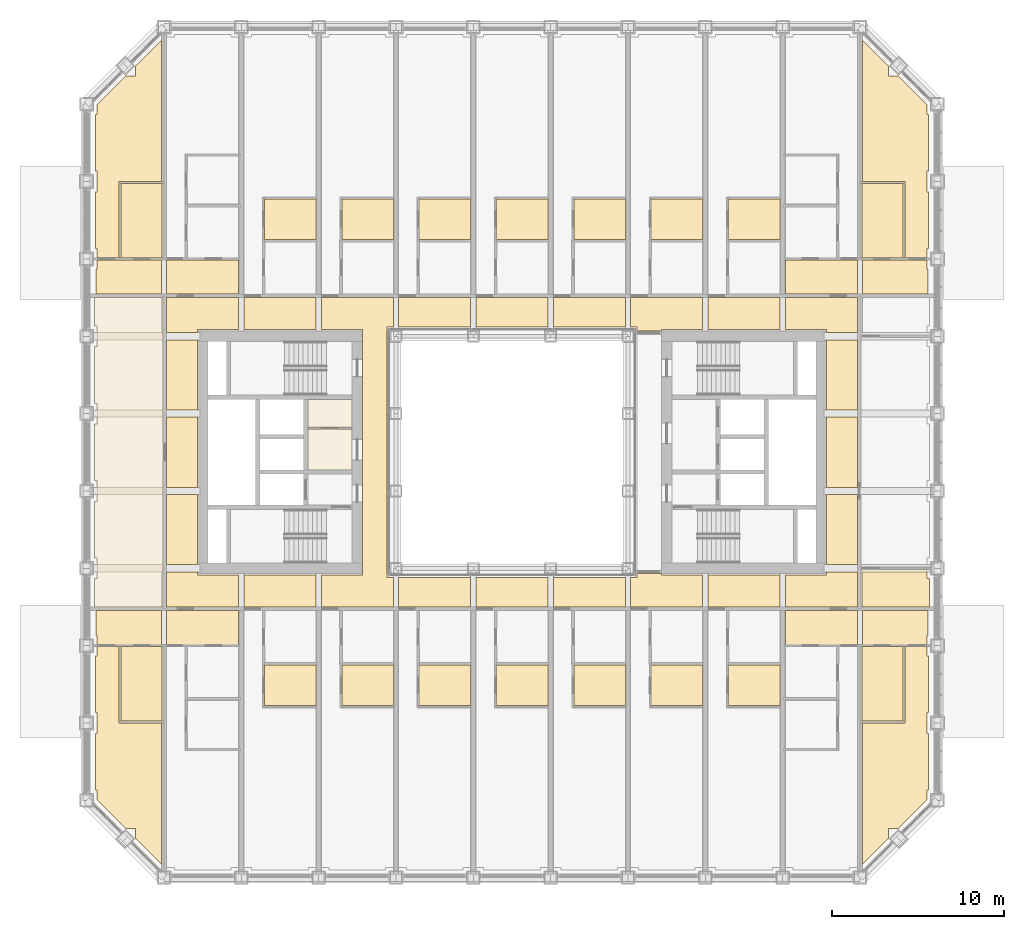
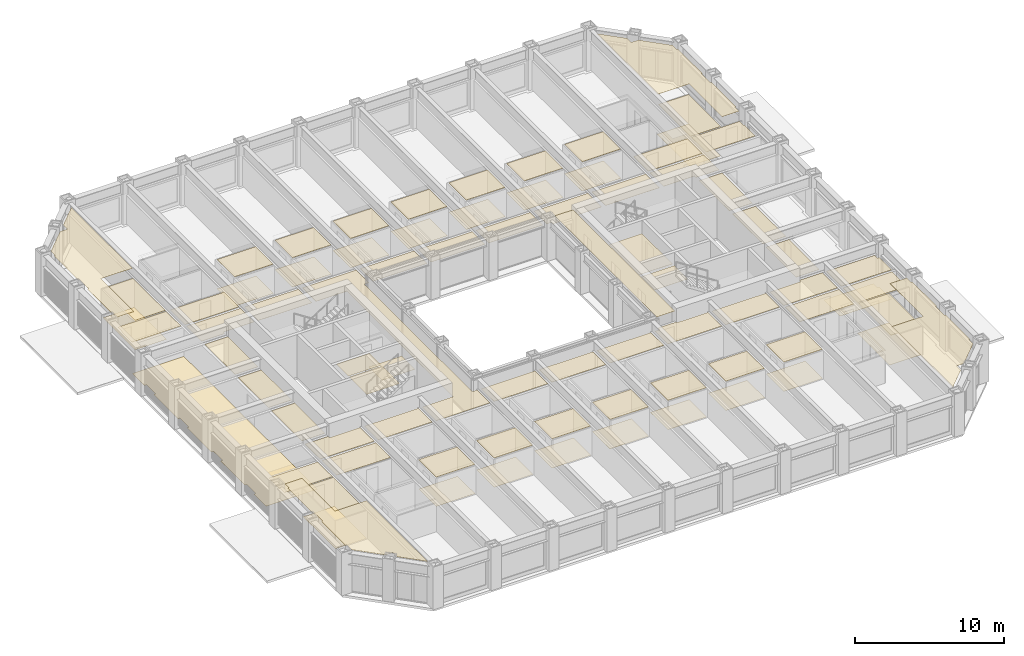
# One storey, part 22 of 24: 4 coverings.
"""IFC4 building model written with IfcOpenShell, lengths in metres."""

from ifc_helpers import new_model, si_unit, direction, frame, origin, place, context, subcontext, project, spatial, line, indexed_curve, outline, extrude, material, layer, layer_set, type_object, element, save


model = new_model("IFC4")

# Units and contexts
model_context = context("Model", 3, precision=1e-05, world=origin(), true_north=direction((0.0, 1.0)))
body_context = subcontext(model_context, "Body", "Model", "MODEL_VIEW")
ifc_project = project(units=[si_unit("LENGTHUNIT", "METRE"), si_unit("AREAUNIT", "SQUARE_METRE"), si_unit("VOLUMEUNIT", "CUBIC_METRE"), si_unit("PLANEANGLEUNIT", "RADIAN"), si_unit("MASSUNIT", "GRAM", prefix="KILO")], contexts=[model_context])

# Site, building, storey
site_placement = place(None, origin())
site = spatial("IfcSite", under=ifc_project, at=site_placement, CompositionType="ELEMENT")
building_placement = place(site_placement, origin())
building = spatial("IfcBuilding", under=site, at=building_placement, Name="Msasa Ring Tower", CompositionType="ELEMENT")
storey_placement = place(building_placement, frame((0.0, 0.0, 26.5)))
storey = spatial("IfcBuildingStorey", under=building, at=storey_placement, Name="L05", CompositionType="ELEMENT", Elevation=26.5)

# Coverings
ifc_material_1 = material(Name="Gypsum plasterboard on a steel suspension grid", Category="steel")
ifc_layer_1 = layer(ifc_material_1, 0.014892578125)
ifc_layer_set_1 = layer_set([ifc_layer_1], Name="C1 SUSPENDED PLASTERBOARD CEILING 15")
covering_type_1 = type_object("IfcCoveringType", Name="C1 SUSPENDED PLASTERBOARD CEILING 15", PredefinedType="CEILING", material=ifc_layer_set_1)
covering_1_placement = place(storey_placement, frame((0.0, 0.0, 2.39990234375)))
element("IfcCovering", 1, at=covering_1_placement, inside=storey, type_object=covering_type_1, Name="Suspended Plasterboard Ceiling 15 circulation L05", PredefinedType="CEILING", context=body_context, shape_type="SweptSolid", body=[
    extrude(outline(indexed_curve([(-24.1494140625, -11.199462890625), (-24.1494140625, -10.6494140625), (-24.199462890625, -10.6494140625), (-24.199462890625, -9.200439453125), (-20.404296875, -9.200439453125), (-20.404296875, -11.199462890625)], segments=[line(1, 2, 3, 4, 5, 6, 1)], self_intersect=False)), origin(), (0.0, 0.0, 1.0), 0.01513671875),
    extrude(outline(indexed_curve([(-24.199462890625, 9.200439453125), (-24.199462890625, 10.6494140625), (-24.1494140625, 10.6494140625), (-24.1494140625, 11.199462890625), (-20.404296875, 11.199462890625), (-20.404296875, 9.200439453125)], segments=[line(1, 2, 3, 4, 5, 6, 1)], self_intersect=False)), origin(), (0.0, 0.0, 1.0), 0.01513671875),
    extrude(outline(indexed_curve([(-20.099609375, -2.460693359375), (-18.300537109375, -2.460693359375), (-18.300537109375, -6.539306640625), (-20.099609375, -6.539306640625)], segments=[line(1, 2, 3, 4, 1)], self_intersect=False)), origin(), (0.0, 0.0, 1.0), 0.01513671875),
    extrude(outline(indexed_curve([(-20.099609375, 2.039306640625), (-18.300537109375, 2.039306640625), (-18.300537109375, -2.039306640625), (-20.099609375, -2.039306640625)], segments=[line(1, 2, 3, 4, 1)], self_intersect=False)), origin(), (0.0, 0.0, 1.0), 0.01513671875),
    extrude(outline(indexed_curve([(-20.099609375, 6.539306640625), (-18.300537109375, 6.539306640625), (-18.300537109375, 2.460693359375), (-20.099609375, 2.460693359375)], segments=[line(1, 2, 3, 4, 1)], self_intersect=False)), origin(), (0.0, 0.0, 1.0), 0.01513671875),
    extrude(outline(indexed_curve([(-20.095703125, -11.199462890625), (-20.095703125, -9.200439453125), (-15.904296875, -9.200439453125), (-15.904296875, -11.199462890625)], segments=[line(1, 2, 3, 4, 1)], self_intersect=False)), origin(), (0.0, 0.0, 1.0), 0.01513671875),
    extrude(outline(indexed_curve([(-20.095703125, -8.99951171875), (-20.095703125, -6.960693359375), (-18.300537109375, -6.960693359375), (-18.300537109375, -7.150390625), (-15.904296875, -7.150390625), (-15.904296875, -8.99951171875)], segments=[line(1, 2, 3, 4, 5, 6, 1)], self_intersect=False)), origin(), (0.0, 0.0, 1.0), 0.01513671875),
    extrude(outline(indexed_curve([(-15.904296875, 8.99951171875), (-15.904296875, 7.150390625), (-18.300537109375, 7.150390625), (-18.300537109375, 6.960693359375), (-20.095703125, 6.960693359375), (-20.095703125, 8.99951171875)], segments=[line(1, 2, 3, 4, 5, 6, 1)], self_intersect=False)), origin(), (0.0, 0.0, 1.0), 0.01513671875),
    extrude(outline(indexed_curve([(-20.095703125, 9.200439453125), (-20.095703125, 11.199462890625), (-15.904296875, 11.199462890625), (-15.904296875, 9.200439453125)], segments=[line(1, 2, 3, 4, 1)], self_intersect=False)), origin(), (0.0, 0.0, 1.0), 0.01513671875),
    extrude(outline(indexed_curve([(-15.595703125, -8.99951171875), (-15.595703125, -7.150390625), (-11.404296875, -7.150390625), (-11.404296875, -8.99951171875)], segments=[line(1, 2, 3, 4, 1)], self_intersect=False)), origin(), (0.0, 0.0, 1.0), 0.01513671875),
    extrude(outline(indexed_curve([(-11.404296875, 8.99951171875), (-11.404296875, 7.150390625), (-15.595703125, 7.150390625), (-15.595703125, 8.99951171875)], segments=[line(1, 2, 3, 4, 1)], self_intersect=False)), origin(), (0.0, 0.0, 1.0), 0.01513671875),
    extrude(outline(indexed_curve([(-11.87451171875, -3.074462890625), (-11.87451171875, -1.275390625), (-9.300537109375, -1.275390625), (-9.300537109375, -3.074462890625)], segments=[line(1, 2, 3, 4, 1)], self_intersect=False)), origin(), (0.0, 0.0, 1.0), 0.01513671875),
    extrude(outline(indexed_curve([(-11.095703125, -8.99951171875), (-11.095703125, -7.150390625), (-8.699462890625, -7.150390625), (-8.699462890625, 7.150390625), (-11.095703125, 7.150390625), (-11.095703125, 8.99951171875), (-6.904296875, 8.99951171875), (-6.904296875, 7.280029296875), (-7.275390625, 7.275390625), (-7.280517578125, 7.23046875), (-7.280517578125, -7.23046875), (-7.275390625, -7.275390625), (-6.904296875, -7.280029296875), (-6.904296875, -8.99951171875)], segments=[line(1, 2, 3, 4, 5, 6, 7, 8, 9, 10, 11, 12, 13, 14, 1)], self_intersect=False)), origin(), (0.0, 0.0, 1.0), 0.01513671875),
    extrude(outline(indexed_curve([(-6.595703125, -8.99951171875), (-6.595703125, -7.280029296875), (-2.404296875, -7.280029296875), (-2.404296875, -8.99951171875)], segments=[line(1, 2, 3, 4, 1)], self_intersect=False)), origin(), (0.0, 0.0, 1.0), 0.01513671875),
    extrude(outline(indexed_curve([(-2.404296875, 8.99951171875), (-2.404296875, 7.280029296875), (-6.595703125, 7.280029296875), (-6.595703125, 8.99951171875)], segments=[line(1, 2, 3, 4, 1)], self_intersect=False)), origin(), (0.0, 0.0, 1.0), 0.01513671875),
    extrude(outline(indexed_curve([(-2.095703125, -8.99951171875), (-2.095703125, -7.280029296875), (2.095703125, -7.280029296875), (2.095703125, -8.99951171875)], segments=[line(1, 2, 3, 4, 1)], self_intersect=False)), origin(), (0.0, 0.0, 1.0), 0.01513671875),
    extrude(outline(indexed_curve([(2.095703125, 8.99951171875), (2.095703125, 7.280029296875), (-2.095703125, 7.280029296875), (-2.095703125, 8.99951171875)], segments=[line(1, 2, 3, 4, 1)], self_intersect=False)), origin(), (0.0, 0.0, 1.0), 0.01513671875),
    extrude(outline(indexed_curve([(2.404296875, -8.99951171875), (2.404296875, -7.280029296875), (6.595703125, -7.280029296875), (6.595703125, -8.99951171875)], segments=[line(1, 2, 3, 4, 1)], self_intersect=False)), origin(), (0.0, 0.0, 1.0), 0.01513671875),
    extrude(outline(indexed_curve([(6.595703125, 8.99951171875), (6.595703125, 7.280029296875), (2.404296875, 7.280029296875), (2.404296875, 8.99951171875)], segments=[line(1, 2, 3, 4, 1)], self_intersect=False)), origin(), (0.0, 0.0, 1.0), 0.01513671875),
    extrude(outline(indexed_curve([(6.904296875, -8.99951171875), (6.904296875, -7.280029296875), (7.275390625, -7.275390625), (7.280029296875, -7.050537109375), (8.699462890625, -7.050537109375), (8.699462890625, -7.150390625), (11.095703125, -7.150390625), (11.095703125, -8.99951171875)], segments=[line(1, 2, 3, 4, 5, 6, 7, 8, 1)], self_intersect=False)), origin(), (0.0, 0.0, 1.0), 0.01513671875),
    extrude(outline(indexed_curve([(11.095703125, 8.99951171875), (11.095703125, 7.150390625), (8.699462890625, 7.150390625), (8.699462890625, 7.050537109375), (7.280029296875, 7.050537109375), (7.275390625, 7.275390625), (6.904296875, 7.280029296875), (6.904296875, 8.99951171875)], segments=[line(1, 2, 3, 4, 5, 6, 7, 8, 1)], self_intersect=False)), origin(), (0.0, 0.0, 1.0), 0.01513671875),
    extrude(outline(indexed_curve([(9.300537109375, -3.074462890625), (9.300537109375, -1.275390625), (11.87451171875, -1.275390625), (11.87451171875, -3.074462890625)], segments=[line(1, 2, 3, 4, 1)], self_intersect=False)), origin(), (0.0, 0.0, 1.0), 0.01513671875),
    extrude(outline(indexed_curve([(9.300537109375, -1.0244140625), (9.300537109375, 3.074462890625), (11.87451171875, 3.074462890625), (11.87451171875, -1.0244140625)], segments=[line(1, 2, 3, 4, 1)], self_intersect=False)), origin(), (0.0, 0.0, 1.0), 0.01513671875),
    extrude(outline(indexed_curve([(11.404296875, -8.99951171875), (11.404296875, -7.150390625), (15.595703125, -7.150390625), (15.595703125, -8.99951171875)], segments=[line(1, 2, 3, 4, 1)], self_intersect=False)), origin(), (0.0, 0.0, 1.0), 0.01513671875),
    extrude(outline(indexed_curve([(15.595703125, 8.99951171875), (15.595703125, 7.150390625), (11.404296875, 7.150390625), (11.404296875, 8.99951171875)], segments=[line(1, 2, 3, 4, 1)], self_intersect=False)), origin(), (0.0, 0.0, 1.0), 0.01513671875),
    extrude(outline(indexed_curve([(15.904296875, -11.199462890625), (15.904296875, -9.200439453125), (20.095703125, -9.200439453125), (20.095703125, -11.199462890625)], segments=[line(1, 2, 3, 4, 1)], self_intersect=False)), origin(), (0.0, 0.0, 1.0), 0.01513671875),
    extrude(outline(indexed_curve([(15.904296875, -8.99951171875), (15.904296875, -7.150390625), (18.300537109375, -7.150390625), (18.300537109375, -6.960693359375), (20.095703125, -6.960693359375), (20.095703125, -8.99951171875)], segments=[line(1, 2, 3, 4, 5, 6, 1)], self_intersect=False)), origin(), (0.0, 0.0, 1.0), 0.01513671875),
    extrude(outline(indexed_curve([(20.095703125, 8.99951171875), (20.095703125, 6.960693359375), (18.300537109375, 6.960693359375), (18.300537109375, 7.150390625), (15.904296875, 7.150390625), (15.904296875, 8.99951171875)], segments=[line(1, 2, 3, 4, 5, 6, 1)], self_intersect=False)), origin(), (0.0, 0.0, 1.0), 0.01513671875),
    extrude(outline(indexed_curve([(15.904296875, 9.200439453125), (15.904296875, 11.199462890625), (20.095703125, 11.199462890625), (20.095703125, 9.200439453125)], segments=[line(1, 2, 3, 4, 1)], self_intersect=False)), origin(), (0.0, 0.0, 1.0), 0.01513671875),
    extrude(outline(indexed_curve([(20.099609375, -6.539306640625), (18.300537109375, -6.539306640625), (18.300537109375, -2.460693359375), (20.099609375, -2.460693359375)], segments=[line(1, 2, 3, 4, 1)], self_intersect=False)), origin(), (0.0, 0.0, 1.0), 0.01513671875),
    extrude(outline(indexed_curve([(20.099609375, -2.039306640625), (18.300537109375, -2.039306640625), (18.300537109375, 2.039306640625), (20.099609375, 2.039306640625)], segments=[line(1, 2, 3, 4, 1)], self_intersect=False)), origin(), (0.0, 0.0, 1.0), 0.01513671875),
    extrude(outline(indexed_curve([(20.099609375, 2.460693359375), (18.300537109375, 2.460693359375), (18.300537109375, 6.539306640625), (20.099609375, 6.539306640625)], segments=[line(1, 2, 3, 4, 1)], self_intersect=False)), origin(), (0.0, 0.0, 1.0), 0.01513671875),
    extrude(outline(indexed_curve([(20.404296875, -11.199462890625), (20.404296875, -9.200439453125), (24.199462890625, -9.200439453125), (24.199462890625, -10.6494140625), (24.1494140625, -10.6494140625), (24.1494140625, -11.199462890625)], segments=[line(1, 2, 3, 4, 5, 6, 1)], self_intersect=False)), origin(), (0.0, 0.0, 1.0), 0.01513671875),
    extrude(outline(indexed_curve([(20.404296875, 9.200439453125), (20.404296875, 11.199462890625), (24.1494140625, 11.199462890625), (24.1494140625, 10.6494140625), (24.199462890625, 10.6494140625), (24.199462890625, 9.200439453125)], segments=[line(1, 2, 3, 4, 5, 6, 1)], self_intersect=False)), origin(), (0.0, 0.0, 1.0), 0.01513671875),
])
covering_2_placement = place(storey_placement, frame((0.0, 0.0, 3.175048828125)))
element("IfcCovering", 2, at=covering_2_placement, inside=storey, type_object=covering_type_1, Name="Suspended Plasterboard Ceiling 15 public rooms L05", PredefinedType="CEILING", context=body_context, shape_type="SweptSolid", body=[
    extrude(outline(indexed_curve([(-20.404296875, -15.74267578125), (-20.404296875, -23.95849609375), (-21.8994140625, -22.46337890625), (-21.8994140625, -21.8994140625), (-22.46337890625, -21.8994140625), (-24.1494140625, -20.21337890625), (-24.1494140625, -19.6494140625), (-24.239501953125, -19.6494140625), (-24.239501953125, -16.3505859375), (-24.1494140625, -16.3505859375), (-24.1494140625, -15.1494140625), (-24.239501953125, -15.1494140625), (-24.239501953125, -11.8505859375), (-24.1494140625, -11.8505859375), (-24.1494140625, -11.300537109375), (-22.8505859375, -11.300537109375), (-22.8505859375, -15.74267578125)], segments=[line(1, 2, 3, 4, 5, 6, 7, 8, 9, 10, 11, 12, 13, 14, 15, 16, 17, 1)], self_intersect=False)), origin(), (0.0, 0.0, 1.0), 0.014892578125),
    extrude(outline(indexed_curve([(-22.8505859375, 11.300537109375), (-24.1494140625, 11.300537109375), (-24.1494140625, 11.8505859375), (-24.239501953125, 11.8505859375), (-24.239501953125, 15.1494140625), (-24.1494140625, 15.1494140625), (-24.1494140625, 16.3505859375), (-24.239501953125, 16.3505859375), (-24.239501953125, 19.6494140625), (-24.1494140625, 19.6494140625), (-24.1494140625, 20.21337890625), (-22.46337890625, 21.8994140625), (-21.8994140625, 21.8994140625), (-21.8994140625, 22.46337890625), (-20.404296875, 23.95849609375), (-20.404296875, 15.74267578125), (-22.8505859375, 15.74267578125)], segments=[line(1, 2, 3, 4, 5, 6, 7, 8, 9, 10, 11, 12, 13, 14, 15, 16, 17, 1)], self_intersect=False)), origin(), (0.0, 0.0, 1.0), 0.014892578125),
    extrude(outline(indexed_curve([(8.699462890625, -6.849609375), (7.280029296875, -6.849609375), (7.280029296875, 6.849609375), (8.699462890625, 6.849609375)], segments=[line(1, 2, 3, 4, 1)], self_intersect=False)), origin(), (0.0, 0.0, 1.0), 0.014892578125),
    extrude(outline(indexed_curve([(22.8505859375, -15.74267578125), (22.8505859375, -11.300537109375), (24.1494140625, -11.300537109375), (24.1494140625, -11.8505859375), (24.239501953125, -11.8505859375), (24.239501953125, -15.1494140625), (24.1494140625, -15.1494140625), (24.1494140625, -16.3505859375), (24.239501953125, -16.3505859375), (24.239501953125, -19.6494140625), (24.1494140625, -19.6494140625), (24.1494140625, -20.21337890625), (22.46337890625, -21.8994140625), (21.8994140625, -21.8994140625), (21.8994140625, -22.46337890625), (20.404296875, -23.95849609375), (20.404296875, -15.74267578125)], segments=[line(1, 2, 3, 4, 5, 6, 7, 8, 9, 10, 11, 12, 13, 14, 15, 16, 17, 1)], self_intersect=False)), origin(), (0.0, 0.0, 1.0), 0.014892578125),
    extrude(outline(indexed_curve([(21.8994140625, 22.46337890625), (21.8994140625, 21.8994140625), (22.46337890625, 21.8994140625), (24.1494140625, 20.21337890625), (24.1494140625, 19.6494140625), (24.239501953125, 19.6494140625), (24.239501953125, 16.3505859375), (24.1494140625, 16.3505859375), (24.1494140625, 15.1494140625), (24.239501953125, 15.1494140625), (24.239501953125, 11.8505859375), (24.1494140625, 11.8505859375), (24.1494140625, 11.300537109375), (22.8505859375, 11.300537109375), (22.8505859375, 15.74267578125), (20.404296875, 15.74267578125), (20.404296875, 23.95849609375)], segments=[line(1, 2, 3, 4, 5, 6, 7, 8, 9, 10, 11, 12, 13, 14, 15, 16, 17, 1)], self_intersect=False)), origin(), (0.0, 0.0, 1.0), 0.014892578125),
])
ifc_material_2 = material(Name="Perforated aluminium ceiling pans on a steel grid", Category="steel")
ifc_layer_2 = layer(ifc_material_2, 0.02490234375)
ifc_layer_set_2 = layer_set([ifc_layer_2], Name="C4 PERFORATED METAL PAN CEILING 25")
covering_type_2 = type_object("IfcCoveringType", Name="C4 PERFORATED METAL PAN CEILING 25", PredefinedType="CEILING", material=ifc_layer_set_2)
covering_3_placement = place(storey_placement, frame((0.0, 0.0, 2.39990234375)))
element("IfcCovering", 3, at=covering_3_placement, inside=storey, type_object=covering_type_2, Name="Perforated Metal Pan Ceiling 25 L05", PredefinedType="CEILING", context=body_context, shape_type="SweptSolid", body=[
    extrude(outline(indexed_curve([(-22.74951171875, -11.300537109375), (-20.404296875, -11.300537109375), (-20.404296875, -15.6416015625), (-22.74951171875, -15.6416015625)], segments=[line(1, 2, 3, 4, 1)], self_intersect=False)), origin(), (0.0, 0.0, 1.0), 0.025146484375),
    extrude(outline(indexed_curve([(-22.74951171875, 15.6416015625), (-20.404296875, 15.6416015625), (-20.404296875, 11.300537109375), (-22.74951171875, 11.300537109375)], segments=[line(1, 2, 3, 4, 1)], self_intersect=False)), origin(), (0.0, 0.0, 1.0), 0.025146484375),
    extrude(outline(indexed_curve([(-14.3994140625, -12.380615234375), (-11.404296875, -12.380615234375), (-11.404296875, -14.744384765625), (-14.3994140625, -14.744384765625)], segments=[line(1, 2, 3, 4, 1)], self_intersect=False)), origin(), (0.0, 0.0, 1.0), 0.025146484375),
    extrude(outline(indexed_curve([(-14.3994140625, 14.744384765625), (-11.404296875, 14.744384765625), (-11.404296875, 12.380615234375), (-14.3994140625, 12.380615234375)], segments=[line(1, 2, 3, 4, 1)], self_intersect=False)), origin(), (0.0, 0.0, 1.0), 0.025146484375),
    extrude(outline(indexed_curve([(-9.8994140625, -12.380615234375), (-6.904296875, -12.380615234375), (-6.904296875, -14.744384765625), (-9.8994140625, -14.744384765625)], segments=[line(1, 2, 3, 4, 1)], self_intersect=False)), origin(), (0.0, 0.0, 1.0), 0.025146484375),
    extrude(outline(indexed_curve([(-6.904296875, 14.744384765625), (-6.904296875, 12.380615234375), (-9.8994140625, 12.380615234375), (-9.8994140625, 14.744384765625)], segments=[line(1, 2, 3, 4, 1)], self_intersect=False)), origin(), (0.0, 0.0, 1.0), 0.025146484375),
    extrude(outline(indexed_curve([(-5.3994140625, -12.380615234375), (-2.404296875, -12.380615234375), (-2.404296875, -14.744384765625), (-5.3994140625, -14.744384765625)], segments=[line(1, 2, 3, 4, 1)], self_intersect=False)), origin(), (0.0, 0.0, 1.0), 0.025146484375),
    extrude(outline(indexed_curve([(-2.404296875, 14.744384765625), (-2.404296875, 12.380615234375), (-5.3994140625, 12.380615234375), (-5.3994140625, 14.744384765625)], segments=[line(1, 2, 3, 4, 1)], self_intersect=False)), origin(), (0.0, 0.0, 1.0), 0.025146484375),
    extrude(outline(indexed_curve([(-0.8994140625, -12.380615234375), (2.095703125, -12.380615234375), (2.095703125, -14.744384765625), (-0.8994140625, -14.744384765625)], segments=[line(1, 2, 3, 4, 1)], self_intersect=False)), origin(), (0.0, 0.0, 1.0), 0.025146484375),
    extrude(outline(indexed_curve([(-0.8994140625, 14.744384765625), (2.095703125, 14.744384765625), (2.095703125, 12.380615234375), (-0.8994140625, 12.380615234375)], segments=[line(1, 2, 3, 4, 1)], self_intersect=False)), origin(), (0.0, 0.0, 1.0), 0.025146484375),
    extrude(outline(indexed_curve([(3.6005859375, -12.380615234375), (6.595703125, -12.380615234375), (6.595703125, -14.744384765625), (3.6005859375, -14.744384765625)], segments=[line(1, 2, 3, 4, 1)], self_intersect=False)), origin(), (0.0, 0.0, 1.0), 0.025146484375),
    extrude(outline(indexed_curve([(3.6005859375, 14.744384765625), (6.595703125, 14.744384765625), (6.595703125, 12.380615234375), (3.6005859375, 12.380615234375)], segments=[line(1, 2, 3, 4, 1)], self_intersect=False)), origin(), (0.0, 0.0, 1.0), 0.025146484375),
    extrude(outline(indexed_curve([(8.1005859375, -12.380615234375), (11.095703125, -12.380615234375), (11.095703125, -14.744384765625), (8.1005859375, -14.744384765625)], segments=[line(1, 2, 3, 4, 1)], self_intersect=False)), origin(), (0.0, 0.0, 1.0), 0.025146484375),
    extrude(outline(indexed_curve([(11.095703125, 14.744384765625), (11.095703125, 12.380615234375), (8.1005859375, 12.380615234375), (8.1005859375, 14.744384765625)], segments=[line(1, 2, 3, 4, 1)], self_intersect=False)), origin(), (0.0, 0.0, 1.0), 0.025146484375),
    extrude(outline(indexed_curve([(15.595703125, -12.380615234375), (15.595703125, -14.744384765625), (12.6005859375, -14.744384765625), (12.6005859375, -12.380615234375)], segments=[line(1, 2, 3, 4, 1)], self_intersect=False)), origin(), (0.0, 0.0, 1.0), 0.025146484375),
    extrude(outline(indexed_curve([(15.595703125, 14.744384765625), (15.595703125, 12.380615234375), (12.6005859375, 12.380615234375), (12.6005859375, 14.744384765625)], segments=[line(1, 2, 3, 4, 1)], self_intersect=False)), origin(), (0.0, 0.0, 1.0), 0.025146484375),
    extrude(outline(indexed_curve([(22.74951171875, -11.300537109375), (22.74951171875, -15.6416015625), (20.404296875, -15.6416015625), (20.404296875, -11.300537109375)], segments=[line(1, 2, 3, 4, 1)], self_intersect=False)), origin(), (0.0, 0.0, 1.0), 0.025146484375),
    extrude(outline(indexed_curve([(20.404296875, -8.99951171875), (20.404296875, -6.960693359375), (24.1494140625, -6.960693359375), (24.1494140625, -7.3505859375), (24.299560546875, -7.3505859375), (24.299560546875, -8.99951171875)], segments=[line(1, 2, 3, 4, 5, 6, 1)], self_intersect=False)), origin(), (0.0, 0.0, 1.0), 0.025146484375),
    extrude(outline(indexed_curve([(22.74951171875, 15.6416015625), (22.74951171875, 11.300537109375), (20.404296875, 11.300537109375), (20.404296875, 15.6416015625)], segments=[line(1, 2, 3, 4, 1)], self_intersect=False)), origin(), (0.0, 0.0, 1.0), 0.025146484375),
])
ifc_material_3 = material(Name="Welded vinyl safety sheet flooring", Category="vinyl")
ifc_layer_3 = layer(ifc_material_3, 0.0029296875)
ifc_layer_set_3 = layer_set([ifc_layer_3], Name="F5 RESILIENT SHEET FLOORING 3")
covering_type_3 = type_object("IfcCoveringType", Name="F5 RESILIENT SHEET FLOORING 3", PredefinedType="FLOORING", material=ifc_layer_set_3)
covering_4_placement = place(storey_placement, origin())
element("IfcCovering", 4, at=covering_4_placement, inside=storey, type_object=covering_type_3, Name="Resilient Sheet Flooring 3 L05", PredefinedType="FLOORING", context=body_context, shape_type="SweptSolid", body=[
    extrude(outline(indexed_curve([(-24.299560546875, -7.3505859375), (-24.1494140625, -7.3505859375), (-24.1494140625, -6.1494140625), (-24.299560546875, -6.1494140625), (-24.299560546875, -2.8505859375), (-24.1494140625, -2.8505859375), (-24.1494140625, -1.6494140625), (-24.299560546875, -1.6494140625), (-24.299560546875, 1.6494140625), (-24.1494140625, 1.6494140625), (-24.1494140625, 2.8505859375), (-24.299560546875, 2.8505859375), (-24.299560546875, 6.1494140625), (-24.1494140625, 6.1494140625), (-24.1494140625, 7.3505859375), (-24.299560546875, 7.3505859375), (-24.299560546875, 8.99951171875), (-20.300537109375, 8.99951171875), (-20.300537109375, -8.99951171875), (-24.299560546875, -8.99951171875)], segments=[line(1, 2, 3, 4, 5, 6, 7, 8, 9, 10, 11, 12, 13, 14, 15, 16, 17, 18, 19, 20, 1)], self_intersect=False)), origin(), (0.0, 0.0, 1.0), 0.0029296875),
    extrude(outline(indexed_curve([(-20.310546875, -15.6416015625), (-22.74951171875, -15.6416015625), (-22.74951171875, -11.300537109375), (-20.310546875, -11.300537109375)], segments=[line(1, 2, 3, 4, 1)], self_intersect=False)), origin(), (0.0, 0.0, 1.0), 0.0029296875),
    extrude(outline(indexed_curve([(-20.310546875, 11.300537109375), (-22.74951171875, 11.300537109375), (-22.74951171875, 15.6416015625), (-20.310546875, 15.6416015625)], segments=[line(1, 2, 3, 4, 1)], self_intersect=False)), origin(), (0.0, 0.0, 1.0), 0.0029296875),
    extrude(outline(indexed_curve([(-11.37548828125, -12.380615234375), (-11.37548828125, -14.744384765625), (-14.3994140625, -14.744384765625), (-14.3994140625, -12.380615234375)], segments=[line(1, 2, 3, 4, 1)], self_intersect=False)), origin(), (0.0, 0.0, 1.0), 0.0029296875),
    extrude(outline(indexed_curve([(-11.37548828125, 14.744384765625), (-11.37548828125, 12.380615234375), (-14.3994140625, 12.380615234375), (-14.3994140625, 14.744384765625)], segments=[line(1, 2, 3, 4, 1)], self_intersect=False)), origin(), (0.0, 0.0, 1.0), 0.0029296875),
    extrude(outline(indexed_curve([(-9.300537109375, 1.344482421875), (-9.300537109375, -1.0244140625), (-11.87451171875, -1.0244140625), (-11.87451171875, 1.344482421875)], segments=[line(1, 2, 3, 4, 1)], self_intersect=False)), origin(), (0.0, 0.0, 1.0), 0.0029296875),
    extrude(outline(indexed_curve([(-9.300537109375, 1.45556640625), (-11.87451171875, 1.45556640625), (-11.87451171875, 3.074462890625), (-9.300537109375, 3.074462890625)], segments=[line(1, 2, 3, 4, 1)], self_intersect=False)), origin(), (0.0, 0.0, 1.0), 0.0029296875),
    extrude(outline(indexed_curve([(-6.87548828125, -12.380615234375), (-6.87548828125, -14.744384765625), (-9.8994140625, -14.744384765625), (-9.8994140625, -12.380615234375)], segments=[line(1, 2, 3, 4, 1)], self_intersect=False)), origin(), (0.0, 0.0, 1.0), 0.0029296875),
    extrude(outline(indexed_curve([(-9.8994140625, 12.380615234375), (-9.8994140625, 14.744384765625), (-6.87548828125, 14.744384765625), (-6.87548828125, 12.380615234375)], segments=[line(1, 2, 3, 4, 1)], self_intersect=False)), origin(), (0.0, 0.0, 1.0), 0.0029296875),
    extrude(outline(indexed_curve([(-2.37548828125, -12.380615234375), (-2.37548828125, -14.744384765625), (-5.3994140625, -14.744384765625), (-5.3994140625, -12.380615234375)], segments=[line(1, 2, 3, 4, 1)], self_intersect=False)), origin(), (0.0, 0.0, 1.0), 0.0029296875),
    extrude(outline(indexed_curve([(-5.3994140625, 12.380615234375), (-5.3994140625, 14.744384765625), (-2.37548828125, 14.744384765625), (-2.37548828125, 12.380615234375)], segments=[line(1, 2, 3, 4, 1)], self_intersect=False)), origin(), (0.0, 0.0, 1.0), 0.0029296875),
    extrude(outline(indexed_curve([(2.12451171875, -12.380615234375), (2.12451171875, -14.744384765625), (-0.8994140625, -14.744384765625), (-0.8994140625, -12.380615234375)], segments=[line(1, 2, 3, 4, 1)], self_intersect=False)), origin(), (0.0, 0.0, 1.0), 0.0029296875),
    extrude(outline(indexed_curve([(-0.8994140625, 12.380615234375), (-0.8994140625, 14.744384765625), (2.12451171875, 14.744384765625), (2.12451171875, 12.380615234375)], segments=[line(1, 2, 3, 4, 1)], self_intersect=False)), origin(), (0.0, 0.0, 1.0), 0.0029296875),
    extrude(outline(indexed_curve([(6.62451171875, -12.380615234375), (6.62451171875, -14.744384765625), (3.6005859375, -14.744384765625), (3.6005859375, -12.380615234375)], segments=[line(1, 2, 3, 4, 1)], self_intersect=False)), origin(), (0.0, 0.0, 1.0), 0.0029296875),
    extrude(outline(indexed_curve([(6.62451171875, 14.744384765625), (6.62451171875, 12.380615234375), (3.6005859375, 12.380615234375), (3.6005859375, 14.744384765625)], segments=[line(1, 2, 3, 4, 1)], self_intersect=False)), origin(), (0.0, 0.0, 1.0), 0.0029296875),
    extrude(outline(indexed_curve([(11.12451171875, -12.380615234375), (11.12451171875, -14.744384765625), (8.1005859375, -14.744384765625), (8.1005859375, -12.380615234375)], segments=[line(1, 2, 3, 4, 1)], self_intersect=False)), origin(), (0.0, 0.0, 1.0), 0.0029296875),
    extrude(outline(indexed_curve([(8.1005859375, 12.380615234375), (8.1005859375, 14.744384765625), (11.12451171875, 14.744384765625), (11.12451171875, 12.380615234375)], segments=[line(1, 2, 3, 4, 1)], self_intersect=False)), origin(), (0.0, 0.0, 1.0), 0.0029296875),
    extrude(outline(indexed_curve([(12.6005859375, -14.744384765625), (12.6005859375, -12.380615234375), (15.62451171875, -12.380615234375), (15.62451171875, -14.744384765625)], segments=[line(1, 2, 3, 4, 1)], self_intersect=False)), origin(), (0.0, 0.0, 1.0), 0.0029296875),
    extrude(outline(indexed_curve([(12.6005859375, 12.380615234375), (12.6005859375, 14.744384765625), (15.62451171875, 14.744384765625), (15.62451171875, 12.380615234375)], segments=[line(1, 2, 3, 4, 1)], self_intersect=False)), origin(), (0.0, 0.0, 1.0), 0.0029296875),
    extrude(outline(indexed_curve([(20.300537109375, -6.805419921875), (24.1494140625, -6.805419921875), (24.1494140625, -7.3505859375), (24.299560546875, -7.3505859375), (24.299560546875, -8.99951171875), (20.300537109375, -8.99951171875)], segments=[line(1, 2, 3, 4, 5, 6, 1)], self_intersect=False)), origin(), (0.0, 0.0, 1.0), 0.0029296875),
    extrude(outline(indexed_curve([(22.74951171875, -15.6416015625), (20.310546875, -15.6416015625), (20.310546875, -11.300537109375), (22.74951171875, -11.300537109375)], segments=[line(1, 2, 3, 4, 1)], self_intersect=False)), origin(), (0.0, 0.0, 1.0), 0.0029296875),
    extrude(outline(indexed_curve([(22.74951171875, 11.300537109375), (20.310546875, 11.300537109375), (20.310546875, 15.6416015625), (22.74951171875, 15.6416015625)], segments=[line(1, 2, 3, 4, 1)], self_intersect=False)), origin(), (0.0, 0.0, 1.0), 0.0029296875),
])

save(model, "model.ifc")
